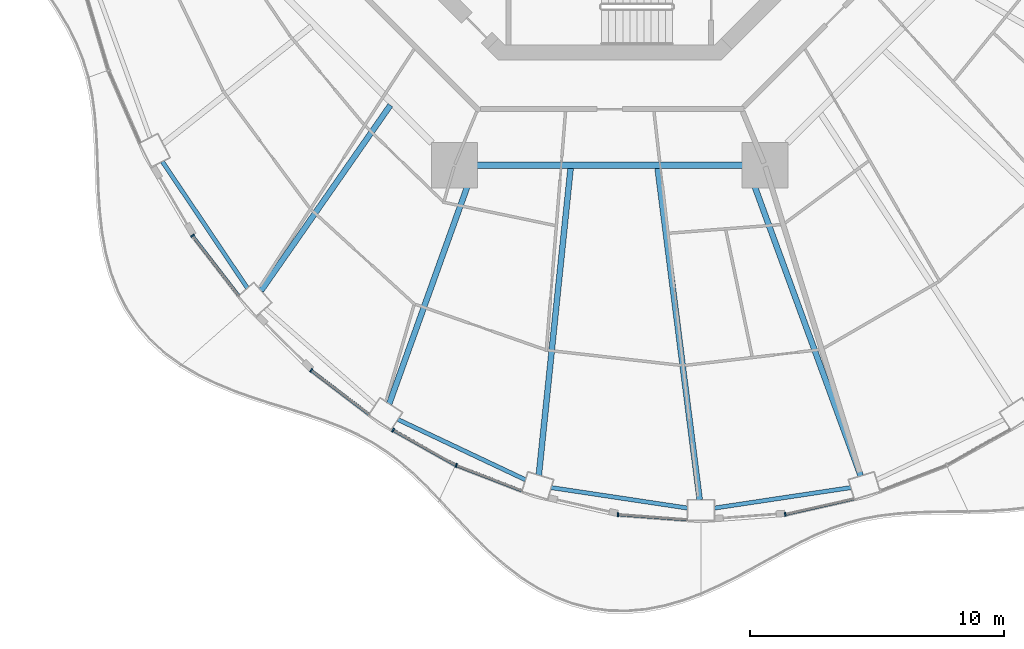
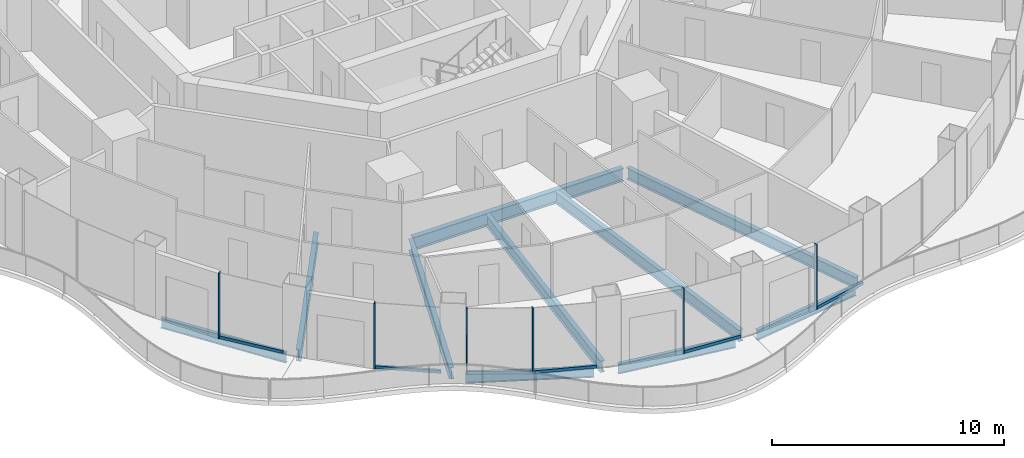
# One storey, part 2 of 19: 12 members, 10 beams, 6 elements without a shape of their own.
"""IFC4 building model written with IfcOpenShell, lengths in metres."""

from ifc_helpers import new_model, si_unit, direction, frame, origin, origin_2d, place, context, subcontext, project, spatial, rectangle, i_section, extrude, material, layer, layer_set, material_profile, profile_set, type_object, element, aggregate, save


model = new_model("IFC4")

# Units and contexts
model_context = context("Model", 3, precision=1e-05, world=origin(), true_north=direction((0.0, 1.0)))
body_context = subcontext(model_context, "Body", "Model", "MODEL_VIEW")
ifc_project = project(units=[si_unit("LENGTHUNIT", "METRE"), si_unit("AREAUNIT", "SQUARE_METRE"), si_unit("VOLUMEUNIT", "CUBIC_METRE"), si_unit("PLANEANGLEUNIT", "RADIAN"), si_unit("MASSUNIT", "GRAM", prefix="KILO")], contexts=[model_context])

# Site, building, storey
site_placement = place(None, origin())
site = spatial("IfcSite", under=ifc_project, at=site_placement, CompositionType="ELEMENT")
building_placement = place(site_placement, origin())
building = spatial("IfcBuilding", under=site, at=building_placement, Name="Nagisa Residences", CompositionType="ELEMENT")
storey_placement = place(building_placement, frame((0.0, 0.0, 195.5)))
storey = spatial("IfcBuildingStorey", under=building, at=storey_placement, Name="L49", CompositionType="ELEMENT", Elevation=195.5)

# Curtain wall, member
ifc_material_1 = material(Name="Concrete-coloured aluminium curtain wall system", Category="concrete")
ifc_layer = layer(ifc_material_1, 0.159912109375)
ifc_layer_set = layer_set([ifc_layer], Name="CW1 CURTAIN WALL")
curtain_wall_type = type_object("IfcCurtainWallType", Name="CW1 CURTAIN WALL", PredefinedType="NOTDEFINED", material=ifc_layer_set)
curtain_wall_1_placement = place(storey_placement, origin())
curtain_wall_1 = element("IfcCurtainWall", 1, at=curtain_wall_1_placement, inside=storey, type_object=curtain_wall_type, Name="cw:CW1:L49:29", PredefinedType="NOTDEFINED")
ifc_material_2 = material(Name="Concrete-coloured aluminium", Category="concrete")
ifc_material_profile_1 = material_profile(ifc_material_2, rectangle(XDim=0.159912109375, YDim=0.06005859375, at=origin_2d()), Name="CW1 MULLION 160x60")
ifc_profile_set_1 = profile_set([ifc_material_profile_1], Name="Concrete-coloured aluminium")
member_type_1 = type_object("IfcMemberType", Name="CW1 MULLION 160x60", PredefinedType="MULLION", material=ifc_profile_set_1)
member_1_placement = place(storey_placement, frame((-16.44970703125, -17.552978515625, 0.0), z_axis=(0.0, 0.0, 1.0), x_axis=(0.792070340816, 0.610429828235, 0.0)))
member_1 = element("IfcMember", 2, at=member_1_placement, type_object=member_type_1, Name="CW1 mullion", PredefinedType="MULLION", context=body_context, shape_type="SweptSolid", body=[
    extrude(rectangle(XDim=0.159912109375, YDim=0.06005859375, at=origin_2d()), origin(), (0.0, 0.0, 1.0), 3.43994140625),
])

curtain_wall_2_placement = place(storey_placement, origin())
curtain_wall_2 = element("IfcCurtainWall", 3, at=curtain_wall_2_placement, inside=storey, type_object=curtain_wall_type, Name="cw:CW1:L49:31", PredefinedType="NOTDEFINED")
member_2_placement = place(storey_placement, frame((-11.77490234375, -22.862548828125, 0.0), z_axis=(0.0, 0.0, 1.0), x_axis=(0.605255421737, 0.79603132756, 0.0)))
member_2 = element("IfcMember", 4, at=member_2_placement, type_object=member_type_1, Name="CW1 mullion", PredefinedType="MULLION", context=body_context, shape_type="SweptSolid", body=[
    extrude(rectangle(XDim=0.159912109375, YDim=0.06005859375, at=origin_2d()), origin(), (0.0, 0.0, 1.0), 3.43994140625),
])

curtain_wall_3_placement = place(storey_placement, origin())
curtain_wall_3 = element("IfcCurtainWall", 5, at=curtain_wall_3_placement, inside=storey, type_object=curtain_wall_type, Name="cw:CW1:L49:32", PredefinedType="NOTDEFINED")
member_3_placement = place(storey_placement, frame((-8.54248046875, -25.220458984375, 0.0), z_axis=(0.0, 0.0, 1.0), x_axis=(0.489376918501, 0.872072377523, 0.0)))
member_3 = element("IfcMember", 6, at=member_3_placement, type_object=member_type_1, Name="CW1 mullion", PredefinedType="MULLION", context=body_context, shape_type="SweptSolid", body=[
    extrude(rectangle(XDim=0.159912109375, YDim=0.06005859375, at=origin_2d()), origin(), (0.0, 0.0, 1.0), 3.43994140625),
])

curtain_wall_4_placement = place(storey_placement, origin())
curtain_wall_4 = element("IfcCurtainWall", 7, at=curtain_wall_4_placement, inside=storey, type_object=curtain_wall_type, Name="cw:CW1:L49:33", PredefinedType="NOTDEFINED")
member_4_placement = place(storey_placement, frame((-6.0537109375, -26.61328125, 0.0), z_axis=(0.0, 0.0, 1.0), x_axis=(0.360327770268, 0.932825759707, 0.0)))
member_4 = element("IfcMember", 8, at=member_4_placement, type_object=member_type_1, Name="CW1 mullion", PredefinedType="MULLION", context=body_context, shape_type="SweptSolid", body=[
    extrude(rectangle(XDim=0.159912109375, YDim=0.06005859375, at=origin_2d()), origin(), (0.0, 0.0, 1.0), 3.43994140625),
])

curtain_wall_5_placement = place(storey_placement, origin())
curtain_wall_5 = element("IfcCurtainWall", 9, at=curtain_wall_5_placement, inside=storey, type_object=curtain_wall_type, Name="cw:CW1:L49:35", PredefinedType="NOTDEFINED")
member_5_placement = place(storey_placement, frame((0.32373046875, -28.550537109375, 0.0), z_axis=(0.0, 0.0, 1.0), x_axis=(0.074377355493, 0.997230168512, 0.0)))
member_5 = element("IfcMember", 10, at=member_5_placement, type_object=member_type_1, Name="CW1 mullion", PredefinedType="MULLION", context=body_context, shape_type="SweptSolid", body=[
    extrude(rectangle(XDim=0.159912109375, YDim=0.06005859375, at=origin_2d()), origin(), (0.0, 0.0, 1.0), 3.43994140625),
])

curtain_wall_6_placement = place(storey_placement, origin())
curtain_wall_6 = element("IfcCurtainWall", 11, at=curtain_wall_6_placement, inside=storey, type_object=curtain_wall_type, Name="cw:CW1:L49:37", PredefinedType="NOTDEFINED")
member_6_placement = place(storey_placement, frame((6.923583984375, -28.543212890625, 0.0), z_axis=(0.0, 0.0, 1.0), x_axis=(-0.2207639201, 0.975327274089, 0.0)))
member_6 = element("IfcMember", 12, at=member_6_placement, type_object=member_type_1, Name="CW1 mullion", PredefinedType="MULLION", context=body_context, shape_type="SweptSolid", body=[
    extrude(rectangle(XDim=0.159912109375, YDim=0.06005859375, at=origin_2d()), origin(), (0.0, 0.0, 1.0), 3.43994140625),
])

# Member
ifc_material_3 = material(Name="Concrete-coloured aluminium", Category="concrete")
ifc_material_profile_2 = material_profile(ifc_material_3, rectangle(XDim=0.1201171875, YDim=0.14990234375, at=origin_2d()), Name="CW1 TRANSOM 120x150")
ifc_profile_set_2 = profile_set([ifc_material_profile_2], Name="Concrete-coloured aluminium")
member_type_2 = type_object("IfcMemberType", Name="CW1 TRANSOM 120x150", PredefinedType="USERDEFINED", material=ifc_profile_set_2)
member_7_placement = place(storey_placement, frame((-16.468017578125, -17.529052734375, 0.074951171875), z_axis=(0.610398538814, -0.792094453846, 0.0), x_axis=(0.792094453846, 0.610398538814, 0.0)))
member_7 = element("IfcMember", 13, at=member_7_placement, type_object=member_type_2, Name="CW1 transom", ObjectType="TRANSOM", PredefinedType="USERDEFINED", context=body_context, shape_type="SweptSolid", body=[
    extrude(rectangle(XDim=0.1201171875, YDim=0.14990234375, at=origin_2d()), origin(), (0.0, 0.0, 1.0), 3.035400390625),
])

aggregate(curtain_wall_1, [member_1, member_7])

member_8_placement = place(storey_placement, frame((-11.798828125, -22.844482421875, 0.074951171875), z_axis=(0.796055733703, -0.60522332146, 0.0), x_axis=(0.60522332146, 0.796055733703, 0.0)))
member_8 = element("IfcMember", 14, at=member_8_placement, type_object=member_type_2, Name="CW1 transom", ObjectType="TRANSOM", PredefinedType="USERDEFINED", context=body_context, shape_type="SweptSolid", body=[
    extrude(rectangle(XDim=0.1201171875, YDim=0.14990234375, at=origin_2d()), origin(), (0.0, 0.0, 1.0), 2.9169921875),
])

aggregate(curtain_wall_2, [member_2, member_8])

member_9_placement = place(storey_placement, frame((-8.568603515625, -25.205810546875, 0.074951171875), z_axis=(0.872057843239, -0.489402817774, 0.0), x_axis=(0.489402817774, 0.872057843239, 0.0)))
member_9 = element("IfcMember", 15, at=member_9_placement, type_object=member_type_2, Name="CW1 transom", ObjectType="TRANSOM", PredefinedType="USERDEFINED", context=body_context, shape_type="SweptSolid", body=[
    extrude(rectangle(XDim=0.1201171875, YDim=0.14990234375, at=origin_2d()), origin(), (0.0, 0.0, 1.0), 2.863525390625),
])

aggregate(curtain_wall_3, [member_3, member_9])

member_10_placement = place(storey_placement, frame((-6.081787109375, -26.602294921875, 0.074951171875), z_axis=(0.932806734513, -0.360377019311, 0.0), x_axis=(0.360377019311, 0.932806734513, 0.0)))
member_10 = element("IfcMember", 16, at=member_10_placement, type_object=member_type_2, Name="CW1 transom", ObjectType="TRANSOM", PredefinedType="USERDEFINED", context=body_context, shape_type="SweptSolid", body=[
    extrude(rectangle(XDim=0.1201171875, YDim=0.14990234375, at=origin_2d()), origin(), (0.0, 0.0, 1.0), 2.819580078125),
])

aggregate(curtain_wall_4, [member_4, member_10])

member_11_placement = place(storey_placement, frame((0.2939453125, -28.548095703125, 0.074951171875), z_axis=(0.99722504052, -0.074446078208, 0.0), x_axis=(0.074446078208, 0.99722504052, 0.0)))
member_11 = element("IfcMember", 17, at=member_11_placement, type_object=member_type_2, Name="CW1 transom", ObjectType="TRANSOM", PredefinedType="USERDEFINED", context=body_context, shape_type="SweptSolid", body=[
    extrude(rectangle(XDim=0.1201171875, YDim=0.14990234375, at=origin_2d()), origin(), (0.0, 0.0, 1.0), 2.77099609375),
])

aggregate(curtain_wall_5, [member_5, member_11])

member_12_placement = place(storey_placement, frame((6.89453125, -28.550048828125, 0.074951171875), z_axis=(0.975324329911, 0.220776926974, 0.0), x_axis=(-0.220776926974, 0.975324329911, 0.0)))
member_12 = element("IfcMember", 18, at=member_12_placement, type_object=member_type_2, Name="CW1 transom", ObjectType="TRANSOM", PredefinedType="USERDEFINED", context=body_context, shape_type="SweptSolid", body=[
    extrude(rectangle(XDim=0.1201171875, YDim=0.14990234375, at=origin_2d()), origin(), (0.0, 0.0, 1.0), 2.787841796875),
])

aggregate(curtain_wall_6, [member_6, member_12])

# Beams
ifc_material_4 = material(Name="Steel ASTM A572 Gr 50", Category="steel")
ifc_material_profile_3 = material_profile(ifc_material_4, i_section(OverallWidth=0.25390625, OverallDepth=0.68408203125, WebThickness=0.012451171875, FlangeThickness=0.018798828125, at=origin_2d()), Name="W690x140")
ifc_profile_set_3 = profile_set([ifc_material_profile_3], Name="Steel ASTM A572 Gr 50")
beam_type_1 = type_object("IfcBeamType", Name="Inner ring beam W690x140", PredefinedType="BEAM", material=ifc_profile_set_3)
beam_1_placement = place(storey_placement, frame((-5.242919921875, -14.781982421875, -0.60205078125), z_axis=(1.0, 0.0, 0.0), x_axis=(0.0, 1.0, 0.0)))
element("IfcBeam", 19, at=beam_1_placement, inside=storey, type_object=beam_type_1, Name="beam:L49:ib6", PredefinedType="BEAM", context=body_context, shape_type="SweptSolid", body=[
    extrude(i_section(OverallWidth=0.25390625, OverallDepth=0.68408203125, WebThickness=0.012451171875, FlangeThickness=0.018798828125, at=origin_2d()), origin(), (0.0, 0.0, 1.0), 10.48583984375),
])
ifc_material_5 = material(Name="Steel ASTM A572 Gr 50", Category="steel")
ifc_material_profile_4 = material_profile(ifc_material_5, i_section(OverallWidth=0.166015625, OverallDepth=0.534912109375, WebThickness=0.01025390625, FlangeThickness=0.0166015625, at=origin_2d()), Name="W530x85")
ifc_profile_set_4 = profile_set([ifc_material_profile_4], Name="Steel ASTM A572 Gr 50")
beam_type_2 = type_object("IfcBeamType", Name="Perimeter ring beam W530x85", PredefinedType="BEAM", material=ifc_profile_set_4)
beam_2_placement = place(storey_placement, frame((-17.644287109375, -14.630615234375, -0.527587890625), z_axis=(0.558152301307, -0.829738518177, 0.0), x_axis=(0.829738518177, 0.558152301307, 0.0)))
element("IfcBeam", 20, at=beam_2_placement, inside=storey, type_object=beam_type_2, Name="beam:L49:pb15", PredefinedType="BEAM", context=body_context, shape_type="SweptSolid", body=[
    extrude(i_section(OverallWidth=0.166015625, OverallDepth=0.534912109375, WebThickness=0.01025390625, FlangeThickness=0.0166015625, at=origin_2d()), origin(), (0.0, 0.0, 1.0), 6.013916015625),
])
beam_3_placement = place(storey_placement, frame((-8.353515625, -24.80224609375, -0.527587890625), z_axis=(0.904157325884, -0.427199637232, 0.0), x_axis=(0.427199637232, 0.904157325884, 0.0)))
element("IfcBeam", 21, at=beam_3_placement, inside=storey, type_object=beam_type_2, Name="beam:L49:pb17", PredefinedType="BEAM", context=body_context, shape_type="SweptSolid", body=[
    extrude(i_section(OverallWidth=0.166015625, OverallDepth=0.534912109375, WebThickness=0.01025390625, FlangeThickness=0.0166015625, at=origin_2d()), origin(), (0.0, 0.0, 1.0), 5.56396484375),
])
for number, where, z_axis, x_axis, name in (
    (22, (-2.30810546875, -27.48779296875, -0.527587890625), (0.988911312658, -0.148507291732, 0.0), (0.148507291732, 0.988911312658, 0.0), "beam:L49:pb18"),
    (23, (4.130126953125, -28.29541015625, -0.527587890625), (0.988911312658, 0.148507291732, 0.0), (-0.148507291732, 0.988911312658, 0.0), "beam:L49:pb19"),
):
    element("IfcBeam", number, at=place(storey_placement, frame(where, z_axis=z_axis, x_axis=x_axis)), inside=storey, type_object=beam_type_2, Name=name, PredefinedType="BEAM", context=body_context, shape_type="SweptSolid", body=[
        extrude(i_section(OverallWidth=0.166015625, OverallDepth=0.534912109375, WebThickness=0.01025390625, FlangeThickness=0.0166015625, at=origin_2d()), origin(), (0.0, 0.0, 1.0), 5.438232421875),
    ])
ifc_material_6 = material(Name="Steel ASTM A572 Gr 50", Category="steel")
ifc_material_profile_5 = material_profile(ifc_material_6, i_section(OverallWidth=0.22802734375, OverallDepth=0.60302734375, WebThickness=0.010498046875, FlangeThickness=0.014892578125, at=origin_2d()), Name="W610x101")
ifc_profile_set_5 = profile_set([ifc_material_profile_5], Name="Steel ASTM A572 Gr 50")
beam_type_3 = type_object("IfcBeamType", Name="Radial beam W610x101", PredefinedType="BEAM", material=ifc_profile_set_5)
beam_4_placement = place(storey_placement, frame((-13.75048828125, -19.7216796875, -0.5615234375), z_axis=(0.571934479253, 0.82029930601, 0.0), x_axis=(-0.82029930601, 0.571934479253, 0.0)))
element("IfcBeam", 24, at=beam_4_placement, inside=storey, type_object=beam_type_3, Name="beam:L49:rb16", PredefinedType="BEAM", context=body_context, shape_type="SweptSolid", body=[
    extrude(i_section(OverallWidth=0.22802734375, OverallDepth=0.60302734375, WebThickness=0.010498046875, FlangeThickness=0.014892578125, at=origin_2d()), origin(), (0.0, 0.0, 1.0), 8.917724609375),
])
beam_5_placement = place(storey_placement, frame((-8.6962890625, -24.180908203125, -0.5615234375), z_axis=(0.338417364879, 0.940996114311, 0.0), x_axis=(-0.940996114311, 0.338417364879, 0.0)))
element("IfcBeam", 25, at=beam_5_placement, inside=storey, type_object=beam_type_3, Name="beam:L49:rb17", PredefinedType="BEAM", context=body_context, shape_type="SweptSolid", body=[
    extrude(i_section(OverallWidth=0.22802734375, OverallDepth=0.60302734375, WebThickness=0.010498046875, FlangeThickness=0.014892578125, at=origin_2d()), origin(), (0.0, 0.0, 1.0), 9.873291015625),
])
beam_6_placement = place(storey_placement, frame((-2.795654296875, -26.997314453125, -0.5615234375), z_axis=(0.103007948723, 0.994680532885, 0.0), x_axis=(-0.994680532885, 0.103007948723, 0.0)))
element("IfcBeam", 26, at=beam_6_placement, inside=storey, type_object=beam_type_3, Name="beam:L49:rb18", PredefinedType="BEAM", context=body_context, shape_type="SweptSolid", body=[
    extrude(i_section(OverallWidth=0.22802734375, OverallDepth=0.60302734375, WebThickness=0.010498046875, FlangeThickness=0.014892578125, at=origin_2d()), origin(), (0.0, 0.0, 1.0), 12.1728515625),
])
beam_7_placement = place(storey_placement, frame((3.548583984375, -27.9697265625, -0.5615234375), z_axis=(-0.125871302495, 0.992046579153, 0.0), x_axis=(-0.992046579153, -0.125871302495, 0.0)))
element("IfcBeam", 27, at=beam_7_placement, inside=storey, type_object=beam_type_3, Name="beam:L49:rb19", PredefinedType="BEAM", context=body_context, shape_type="SweptSolid", body=[
    extrude(i_section(OverallWidth=0.22802734375, OverallDepth=0.60302734375, WebThickness=0.010498046875, FlangeThickness=0.014892578125, at=origin_2d()), origin(), (0.0, 0.0, 1.0), 13.185546875),
])
beam_8_placement = place(storey_placement, frame((9.898681640625, -27.02734375, -0.5615234375), z_axis=(-0.343903309659, 0.939005065804, 0.0), x_axis=(-0.939005065804, -0.343903309659, 0.0)))
element("IfcBeam", 28, at=beam_8_placement, inside=storey, type_object=beam_type_3, Name="beam:L49:rb20", PredefinedType="BEAM", context=body_context, shape_type="SweptSolid", body=[
    extrude(i_section(OverallWidth=0.22802734375, OverallDepth=0.60302734375, WebThickness=0.010498046875, FlangeThickness=0.014892578125, at=origin_2d()), origin(), (0.0, 0.0, 1.0), 12.92529296875),
])

save(model, "model.ifc")
